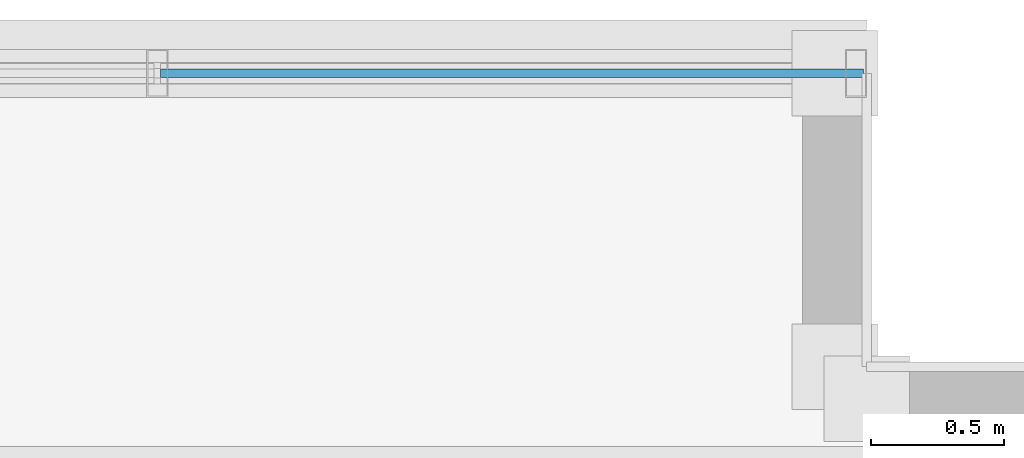
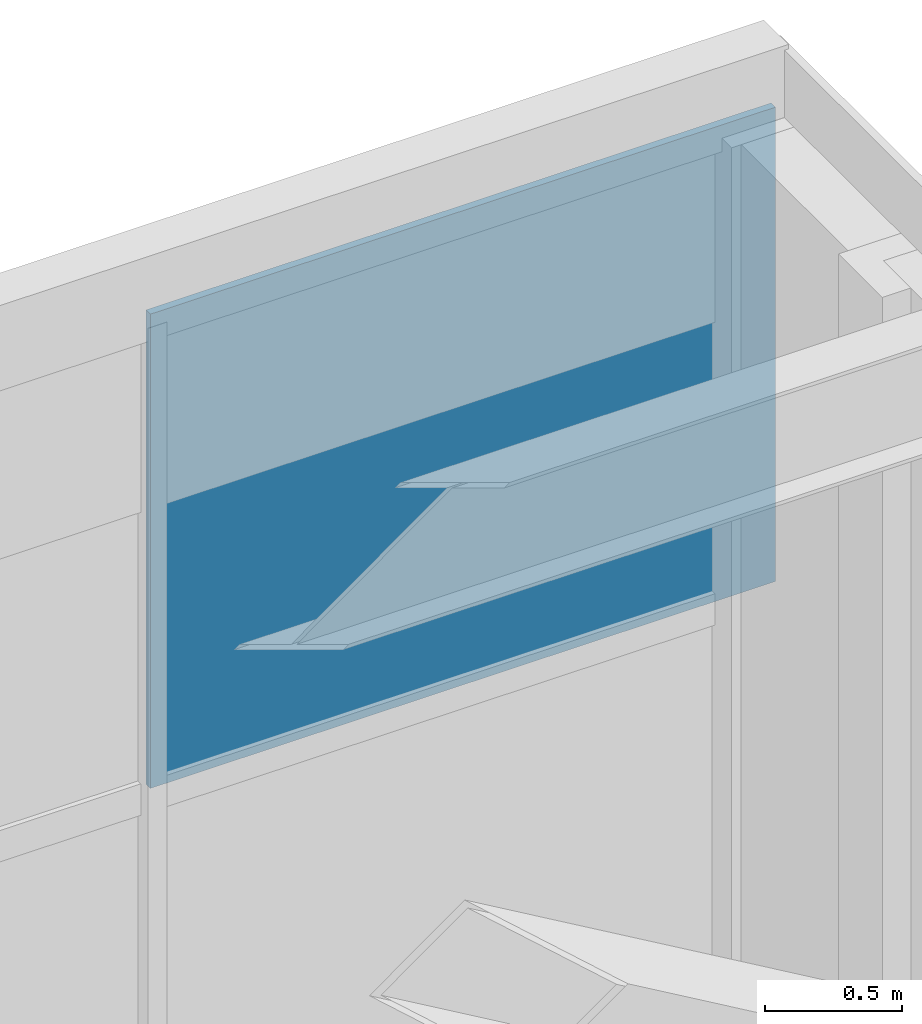
# One storey, part 30 of 37: 1 plate, 1 element without a shape of its own.
"""IFC4 building model written with IfcOpenShell, lengths in metres."""

import ifcopenshell
import ifcopenshell.guid

model = None  # the IFC model being written
_history = None  # IfcOwnerHistory: only IFC2X3 demands one
_inside = {}  # id of a spatial element -> (the spatial element, [elements in it])
_under = {}  # id of a project, library or spatial element -> (it, [spatial elements below it])
_declared = {}  # id of a project -> (the project, [libraries it declares])
_typed = {}  # id of a type object -> (the type object, [elements of that type])
_made_of = {}  # id of a material, layer set ... -> (it, [elements and type objects made of it])


def new_model(schema):
    """Start an empty IFC model of exactly this schema.

    Asked for "IFC4X3", IfcOpenShell would pick the latest addendum, in which some entities
    have other attributes; the version numbers below select the first issue.
    IFC2X3 requires an IfcOwnerHistory on every rooted entity: one is made here for all.
    """
    global model, _history
    if schema == "IFC4X3":
        model = ifcopenshell.file(schema_version=(4, 3, 0, 0))
    else:
        model = ifcopenshell.file(schema=schema)
    _inside.clear()
    _under.clear()
    _declared.clear()
    _typed.clear()
    _made_of.clear()
    _history = None
    if model.schema == "IFC2X3":
        org = make("IfcOrganization", Name="unknown")
        user = make(
            "IfcPersonAndOrganization",
            ThePerson=make("IfcPerson", FamilyName="unknown"),
            TheOrganization=org,
        )
        app = make(
            "IfcApplication",
            ApplicationDeveloper=org,
            Version="unknown",
            ApplicationFullName="unknown",
            ApplicationIdentifier="unknown",
        )
        _history = make(
            "IfcOwnerHistory",
            OwningUser=user,
            OwningApplication=app,
            ChangeAction="ADDED",
            CreationDate=0,
        )
    return model


def make(cls, **values):
    """One entity of the class cls with the attributes given. An attribute that is None is left unset."""
    return model.create_entity(
        cls, **{name: value for name, value in values.items() if value is not None}
    )


def rooted(cls, **values):
    """An entity with a GlobalId (a new one), such as an element, a storey or a relation."""
    return make(cls, GlobalId=ifcopenshell.guid.new(), OwnerHistory=_history, **values)


def si_unit(unit_type, name, prefix=None):
    """IfcSIUnit, for example si_unit("LENGTHUNIT", "METRE", prefix="MILLI")."""
    return make("IfcSIUnit", UnitType=unit_type, Prefix=prefix, Name=name)


def assignment(units):
    """IfcUnitAssignment: the units of a project."""
    return None if units is None else make("IfcUnitAssignment", Units=units)


def point(xyz):
    """IfcCartesianPoint."""
    return None if xyz is None else make("IfcCartesianPoint", Coordinates=xyz)


def direction(xyz):
    """IfcDirection."""
    return None if xyz is None else make("IfcDirection", DirectionRatios=xyz)


def frame(location, z_axis=None, x_axis=None):
    """IfcAxis2Placement3D, a coordinate frame: its origin and axes. An axis left out is left unset."""
    return make(
        "IfcAxis2Placement3D",
        Location=point(location),
        Axis=direction(z_axis),
        RefDirection=direction(x_axis),
    )


def frame_2d(location, x_axis=None):
    """IfcAxis2Placement2D, a coordinate frame in the plane: its origin and x axis."""
    return make(
        "IfcAxis2Placement2D", Location=point(location), RefDirection=direction(x_axis)
    )


def origin():
    """The frame at (0, 0, 0) with its axes left unset."""
    return frame((0.0, 0.0, 0.0))


def origin_2d():
    """The frame at (0, 0) in the plane with its x axis left unset."""
    return frame_2d((0.0, 0.0))


def place(relative_to, where):
    """IfcLocalPlacement: puts the frame where relative to a parent placement (None: the world)."""
    return make(
        "IfcLocalPlacement", PlacementRelTo=relative_to, RelativePlacement=where
    )


def context(
    kind, dimensions, precision=None, world=None, true_north=None, identifier=None
):
    """IfcGeometricRepresentationContext, for example the 3D "Model" context."""
    return make(
        "IfcGeometricRepresentationContext",
        ContextIdentifier=identifier,
        ContextType=kind,
        CoordinateSpaceDimension=dimensions,
        Precision=precision,
        WorldCoordinateSystem=world,
        TrueNorth=true_north,
    )


def subcontext(parent, identifier, kind, view, scale=None):
    """IfcGeometricRepresentationSubContext, for example "Body" below "Model"."""
    return make(
        "IfcGeometricRepresentationSubContext",
        ContextIdentifier=identifier,
        ContextType=kind,
        ParentContext=parent,
        TargetScale=scale,
        TargetView=view,
    )


def project(units=None, contexts=None):
    """IfcProject with its units and contexts."""
    return rooted(
        "IfcProject",
        Name="project",
        RepresentationContexts=contexts,
        UnitsInContext=assignment(units),
    )


def spatial(cls, under=None, at=None, **own):
    """A site, building, storey or space (cls), placed at a placement, below another one or the project."""
    s = rooted(cls, ObjectPlacement=at, **own)
    if under is not None:
        _under.setdefault(under.id(), (under, []))[1].append(s)
    return s


def profile(cls, at=None, kind="AREA", **sizes):
    """A parametric profile (cls). Its sizes go by their IFC names, for example OverallWidth=200.0."""
    return make(cls, ProfileType=kind, Position=at, **sizes)


def rectangle(**sizes):
    """IfcRectangleProfileDef."""
    return profile("IfcRectangleProfileDef", **sizes)


def extrude(swept, where, along, depth):
    """IfcExtrudedAreaSolid: the profile swept, set in the frame where, extruded along a direction by depth."""
    return make(
        "IfcExtrudedAreaSolid",
        SweptArea=swept,
        Position=where,
        ExtrudedDirection=direction(along),
        Depth=depth,
    )


def shape(context_of_items, identifier, shape_type, items):
    """IfcShapeRepresentation: the items that make up one representation, for example the "Body"."""
    return make(
        "IfcShapeRepresentation",
        ContextOfItems=context_of_items,
        RepresentationIdentifier=identifier,
        RepresentationType=shape_type,
        Items=items,
    )


def source(mapping_origin, context_of_items, identifier, shape_type, items):
    """IfcRepresentationMap: a shape defined once, which mapped items show again and again."""
    return make(
        "IfcRepresentationMap",
        MappingOrigin=mapping_origin,
        MappedRepresentation=shape(context_of_items, identifier, shape_type, items),
    )


def transform(
    local_origin,
    x_axis=None,
    y_axis=None,
    z_axis=None,
    scale=None,
    scale2=None,
    scale3=None,
    uniform=True,
):
    """IfcCartesianTransformationOperator3D, or its non-uniform kind. x_axis, y_axis, z_axis: its Axis1, 2, 3."""
    if uniform:
        return make(
            "IfcCartesianTransformationOperator3D",
            Axis1=direction(x_axis),
            Axis2=direction(y_axis),
            LocalOrigin=point(local_origin),
            Scale=scale,
            Axis3=direction(z_axis),
        )
    return make(
        "IfcCartesianTransformationOperator3DnonUniform",
        Axis1=direction(x_axis),
        Axis2=direction(y_axis),
        LocalOrigin=point(local_origin),
        Scale=scale,
        Axis3=direction(z_axis),
        Scale2=scale2,
        Scale3=scale3,
    )


def mapped(mapping_source, mapping_target):
    """IfcMappedItem: shows the shape of a source again, moved by a transform."""
    return make(
        "IfcMappedItem", MappingSource=mapping_source, MappingTarget=mapping_target
    )


def material(Name=None, Category=None):
    """IfcMaterial."""
    return make("IfcMaterial", Name=Name, Category=Category)


def layer(
    of_material, thickness, ventilated=None, Name=None, Category=None, Priority=None
):
    """IfcMaterialLayer: one layer of a wall or slab, of a material (None: an air gap)."""
    return make(
        "IfcMaterialLayer",
        Material=of_material,
        LayerThickness=thickness,
        IsVentilated=ventilated,
        Name=Name,
        Category=Category,
        Priority=Priority,
    )


def layer_set(layers, Name=None):
    """IfcMaterialLayerSet."""
    return make("IfcMaterialLayerSet", MaterialLayers=layers, LayerSetName=Name)


def made_of(thing, what):
    """Note that an element or type object is made of a material, layer set ...; save() writes the relation."""
    if what is not None:
        _made_of.setdefault(what.id(), (what, []))[1].append(thing)
    return thing


def type_object(cls, material=None, **own):
    """A type object (cls), such as IfcWallType, which elements share."""
    return made_of(rooted(cls, **own), material)


def element(
    cls,
    number,
    at=None,
    inside=None,
    cuts=None,
    type_object=None,
    material=None,
    context=None,
    identifier="Body",
    shape_type=None,
    held_by="IfcProductDefinitionShape",
    body=None,
    shapes=None,
    **own,
):
    """One element of the class cls, such as IfcWall. Its Tag is "e" and its number.

    at: its placement. inside: the storey or other place that contains it. cuts: it is an
    opening in that element (IfcRelVoidsElement). A single representation is given by context,
    identifier, shape_type and body (its items); several are given by shapes. held_by: the class
    of the entity that holds the representations. save() writes the other relations.
    """
    e = rooted(cls, Tag="e%d" % number, ObjectPlacement=at, **own)
    if body is not None:
        shapes = [shape(context, identifier, shape_type, body)]
    if shapes is not None:
        e.Representation = make(held_by, Representations=shapes)
    if inside is not None:
        _inside.setdefault(inside.id(), (inside, []))[1].append(e)
    if cuts is not None:
        rooted(
            "IfcRelVoidsElement", RelatingBuildingElement=cuts, RelatedOpeningElement=e
        )
    if type_object is not None:
        _typed.setdefault(type_object.id(), (type_object, []))[1].append(e)
    return made_of(e, material)


def aggregate(whole, parts):
    """IfcRelAggregates: a whole, such as a stair, and the parts it consists of."""
    return rooted("IfcRelAggregates", RelatingObject=whole, RelatedObjects=parts)


def save(model, path):
    """Write the relations noted so far, then the file.

    IfcRelAggregates (storeys below a building ...), IfcRelContainedInSpatialStructure (elements
    in a storey), IfcRelDefinesByType, IfcRelAssociatesMaterial and IfcRelDeclares: one each for
    every whole, place, type object, material and project.
    """
    for whole, parts in _under.values():
        aggregate(whole, parts)
    for where, things in _inside.values():
        rooted(
            "IfcRelContainedInSpatialStructure",
            RelatedElements=things,
            RelatingStructure=where,
        )
    for kind, things in _typed.values():
        rooted("IfcRelDefinesByType", RelatedObjects=things, RelatingType=kind)
    for what, things in _made_of.values():
        rooted("IfcRelAssociatesMaterial", RelatedObjects=things, RelatingMaterial=what)
    for by, libraries in _declared.values():
        rooted("IfcRelDeclares", RelatingContext=by, RelatedDefinitions=libraries)
    model.write(path)


model = new_model("IFC4")

# Units and contexts
model_context = context("Model", 3, precision=1e-05, world=origin(), true_north=direction((0.0, 1.0)))
body_context = subcontext(model_context, "Body", "Model", "MODEL_VIEW")
ifc_project = project(units=[si_unit("LENGTHUNIT", "METRE"), si_unit("AREAUNIT", "SQUARE_METRE"), si_unit("VOLUMEUNIT", "CUBIC_METRE"), si_unit("PLANEANGLEUNIT", "RADIAN"), si_unit("MASSUNIT", "GRAM", prefix="KILO")], contexts=[model_context])

# Site, building, storey
site_placement = place(None, origin())
site = spatial("IfcSite", under=ifc_project, at=site_placement, CompositionType="ELEMENT")
building_placement = place(site_placement, origin())
building = spatial("IfcBuilding", under=site, at=building_placement, Name="Trelvane Seafront Commons", CompositionType="ELEMENT")
storey_placement = place(building_placement, frame((0.0, 0.0, 303.5)))
storey = spatial("IfcBuildingStorey", under=building, at=storey_placement, Name="L79", CompositionType="ELEMENT", Elevation=303.5)

# Curtain wall, plate
ifc_material_1 = material(Name="Anodised pale-silver aluminium", Category="aluminium")
curtain_wall_type = type_object("IfcCurtainWallType", Name="ARCH-CW6-CROWN", PredefinedType="NOTDEFINED", material=ifc_material_1)
curtain_wall_placement = place(storey_placement, origin())
curtain_wall = element("IfcCurtainWall", 1, at=curtain_wall_placement, inside=storey, type_object=curtain_wall_type, Name="CW-L79-0129", PredefinedType="NOTDEFINED")
ifc_material_2 = material(Name="Low-E coastal double glazing", Category="glass")
ifc_layer = layer(ifc_material_2, 0.033935546875, Name="ARCH-CW-GLAZ-34")
ifc_layer_set = layer_set([ifc_layer], Name="Low-E coastal double glazing")
plate_type = type_object("IfcPlateType", Name="ARCH-CW-GLAZ-34", PredefinedType="CURTAIN_PANEL", material=ifc_layer_set)
shared_shape = source(origin(), body_context, "Body", "SweptSolid", [
    extrude(rectangle(XDim=2.635986328125, YDim=0.031982421875, at=origin_2d()), origin(), (0.0, 0.0, 1.0), 2.114013671875),
])
plate_placement = place(storey_placement, frame((62.469970703125, 46.60009765625, 1.98583984375), z_axis=(0.0, 0.0, 1.0), x_axis=(1.0, 0.0, 0.0)))
plate = element("IfcPlate", 2, at=plate_placement, type_object=plate_type, Name="CW-L79-0129-P19-2", PredefinedType="CURTAIN_PANEL", context=body_context, shape_type="MappedRepresentation", body=[
    mapped(shared_shape, transform((0.0, 0.0, 0.0), x_axis=(1.0, 0.0, 0.0), y_axis=(0.0, 1.0, 0.0), z_axis=(0.0, 0.0, 1.0), scale=1.0)),
])
aggregate(curtain_wall, [plate])

save(model, "model.ifc")
